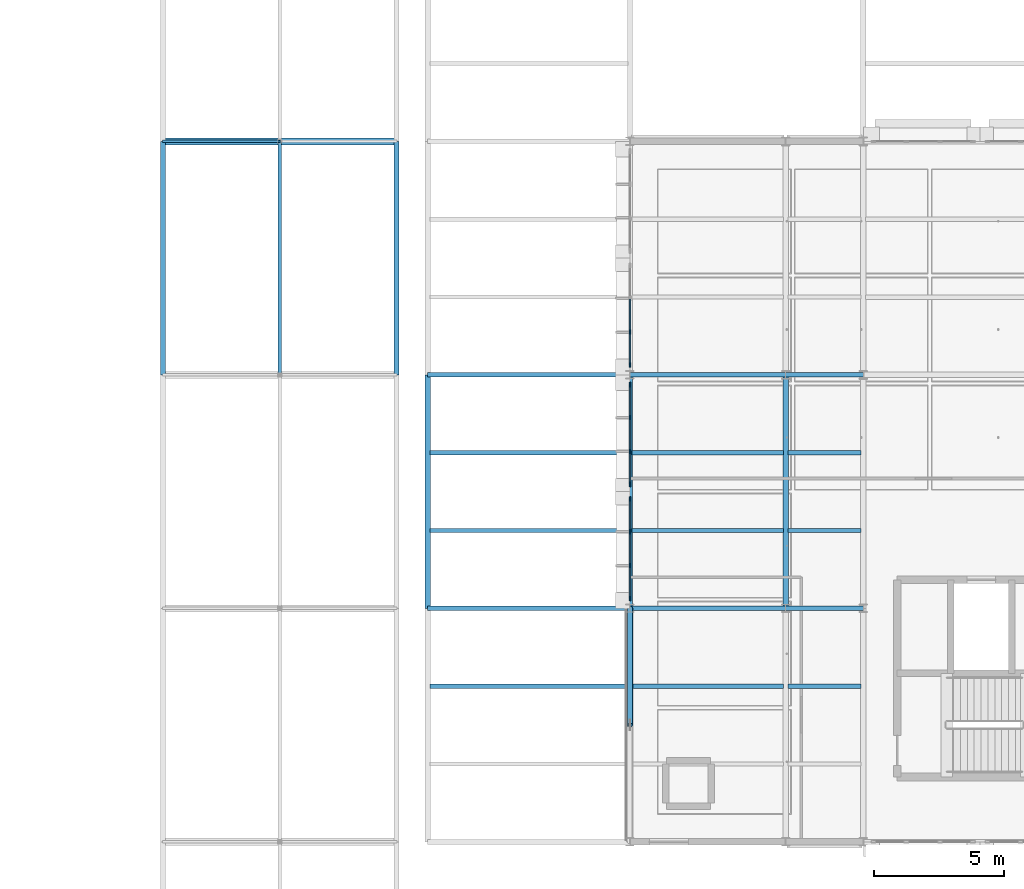
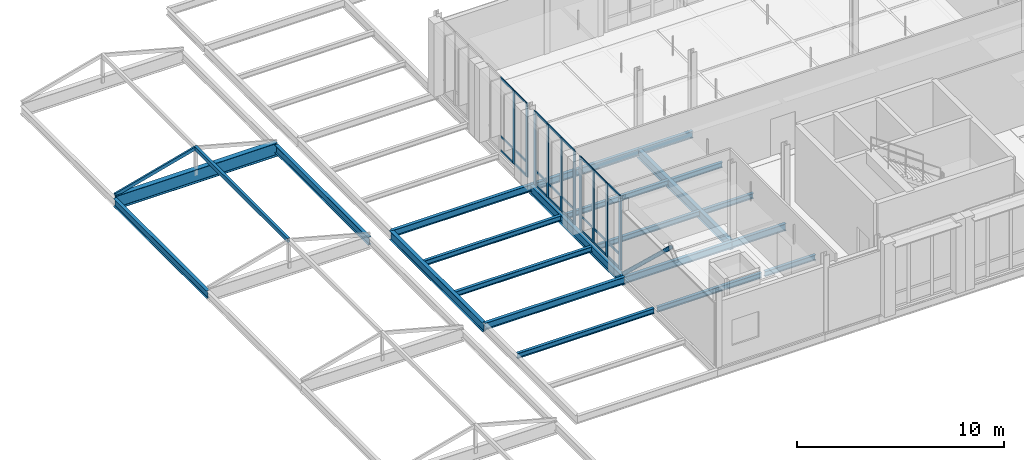
# One storey, part 48 of 140: 36 members, 22 beams, 3 elements without a shape of their own.
"""IFC4 building model written with IfcOpenShell, lengths in metres."""

from ifc_helpers import new_model, si_unit, direction, frame, origin, origin_2d, place, context, subcontext, project, spatial, rectangle, hollow_rectangle, hollow_circle, i_section, extrude, material, material_profile, profile_set, type_object, element, aggregate, save


model = new_model("IFC4")

# Units and contexts
model_context = context("Model", 3, precision=1e-05, world=origin(), true_north=direction((0.0, 1.0)))
body_context = subcontext(model_context, "Body", "Model", "MODEL_VIEW")
ifc_project = project(units=[si_unit("LENGTHUNIT", "METRE"), si_unit("AREAUNIT", "SQUARE_METRE"), si_unit("VOLUMEUNIT", "CUBIC_METRE"), si_unit("PLANEANGLEUNIT", "RADIAN"), si_unit("MASSUNIT", "GRAM", prefix="KILO"), si_unit("THERMODYNAMICTEMPERATUREUNIT", "KELVIN"), si_unit("POWERUNIT", "WATT")], contexts=[model_context])

# Site, building, storey
site_placement = place(None, origin())
site = spatial("IfcSite", under=ifc_project, at=site_placement, CompositionType="ELEMENT")
building_placement = place(site_placement, origin())
building = spatial("IfcBuilding", under=site, at=building_placement, Name="Tallowbark Science Centre", CompositionType="ELEMENT")
storey_placement = place(building_placement, frame((0.0, 0.0, 9.89990234375)))
storey = spatial("IfcBuildingStorey", under=building, at=storey_placement, Name="L02", CompositionType="ELEMENT", Elevation=9.89990234375)

# Beams
ifc_material_1 = material(Name="Structural Steel Grade 300PLUS (300 MPa)", Category="steel")
ifc_material_profile_1 = material_profile(ifc_material_1, i_section(OverallWidth=0.177734375, OverallDepth=0.406494140625, WebThickness=0.0078125, FlangeThickness=0.0126953125, FilletRadius=0.011474609375, at=origin_2d()), Name="410UB59.7")
ifc_profile_set_1 = profile_set([ifc_material_profile_1], Name="Structural Steel Grade 300PLUS (300 MPa)")
beam_type_1 = type_object("IfcBeamType", Name="BM-UB410", PredefinedType="BEAM", material=ifc_profile_set_1)
beam_1_placement = place(storey_placement, frame((55.199951171875, 81.0, -0.383056640625), z_axis=(1.0, 0.0, 0.0), x_axis=(0.0, 1.0, 0.0)))
element("IfcBeam", 1, at=beam_1_placement, inside=storey, type_object=beam_type_1, Name="Primary Girder GRDX-L02-552-630-810", PredefinedType="BEAM", context=body_context, shape_type="SweptSolid", body=[
    extrude(i_section(OverallWidth=0.177734375, OverallDepth=0.406494140625, WebThickness=0.0078125, FlangeThickness=0.0126953125, FilletRadius=0.011474609375, at=origin_2d()), origin(), (0.0, 0.0, 1.0), 7.800048828125),
])
beam_2_placement = place(storey_placement, frame((63.0, 81.0, -0.383056640625), z_axis=(1.0, 0.0, 0.0), x_axis=(0.0, 1.0, 0.0)))
element("IfcBeam", 2, at=beam_2_placement, inside=storey, type_object=beam_type_1, Name="Primary Girder GRDX-L02-630-690-810", PredefinedType="BEAM", context=body_context, shape_type="SweptSolid", body=[
    extrude(i_section(OverallWidth=0.177734375, OverallDepth=0.406494140625, WebThickness=0.0078125, FlangeThickness=0.0126953125, FilletRadius=0.011474609375, at=origin_2d()), origin(), (0.0, 0.0, 1.0), 6.0),
])
beam_3_placement = place(storey_placement, frame((69.0, 81.0, -0.383056640625), z_axis=(1.0, 0.0, 0.0), x_axis=(0.0, 1.0, 0.0)))
element("IfcBeam", 3, at=beam_3_placement, inside=storey, type_object=beam_type_1, Name="Primary Girder GRDX-L02-690-720-810", PredefinedType="BEAM", context=body_context, shape_type="SweptSolid", body=[
    extrude(i_section(OverallWidth=0.177734375, OverallDepth=0.406494140625, WebThickness=0.0078125, FlangeThickness=0.0126953125, FilletRadius=0.011474609375, at=origin_2d()), origin(), (0.0, 0.0, 1.0), 3.0),
])
beam_4_placement = place(storey_placement, frame((55.199951171875, 90.0, -0.383056640625), z_axis=(1.0, 0.0, 0.0), x_axis=(0.0, 1.0, 0.0)))
element("IfcBeam", 4, at=beam_4_placement, inside=storey, type_object=beam_type_1, Name="Primary Girder GRDX-L02-552-630-900", PredefinedType="BEAM", context=body_context, shape_type="SweptSolid", body=[
    extrude(i_section(OverallWidth=0.177734375, OverallDepth=0.406494140625, WebThickness=0.0078125, FlangeThickness=0.0126953125, FilletRadius=0.011474609375, at=origin_2d()), origin(), (0.0, 0.0, 1.0), 7.800048828125),
])
beam_5_placement = place(storey_placement, frame((63.0, 90.0, -0.383056640625), z_axis=(1.0, 0.0, 0.0), x_axis=(0.0, 1.0, 0.0)))
element("IfcBeam", 5, at=beam_5_placement, inside=storey, type_object=beam_type_1, Name="Primary Girder GRDX-L02-630-690-900", PredefinedType="BEAM", context=body_context, shape_type="SweptSolid", body=[
    extrude(i_section(OverallWidth=0.177734375, OverallDepth=0.406494140625, WebThickness=0.0078125, FlangeThickness=0.0126953125, FilletRadius=0.011474609375, at=origin_2d()), origin(), (0.0, 0.0, 1.0), 6.0),
])
beam_6_placement = place(storey_placement, frame((69.0, 90.0, -0.383056640625), z_axis=(1.0, 0.0, 0.0), x_axis=(0.0, 1.0, 0.0)))
element("IfcBeam", 6, at=beam_6_placement, inside=storey, type_object=beam_type_1, Name="Primary Girder GRDX-L02-690-720-900", PredefinedType="BEAM", context=body_context, shape_type="SweptSolid", body=[
    extrude(i_section(OverallWidth=0.177734375, OverallDepth=0.406494140625, WebThickness=0.0078125, FlangeThickness=0.0126953125, FilletRadius=0.011474609375, at=origin_2d()), origin(), (0.0, 0.0, 1.0), 3.0),
])
ifc_material_profile_2 = material_profile(ifc_material_1, i_section(OverallWidth=0.208740234375, OverallDepth=0.5283203125, WebThickness=0.009521484375, FlangeThickness=0.01318359375, FilletRadius=0.013916015625, at=origin_2d()), Name="530UB82.0")
ifc_profile_set_2 = profile_set([ifc_material_profile_2], Name="Structural Steel Grade 300PLUS (300 MPa)")
beam_type_2 = type_object("IfcBeamType", Name="BM-UB530B", PredefinedType="BEAM", material=ifc_profile_set_2)
for number, where, z_axis, x_axis, name in (
    (7, (55.199951171875, 81.0, -0.444091796875), (0.0, 1.0, 0.0), (-1.0, 0.0, 0.0), "Primary Girder GRDY-L02-552-810-900"),
    (8, (63.0, 81.0, -0.444091796875), (0.0, 1.0, 0.0), (-1.0, 0.0, 0.0), "Primary Girder GRDY-L02-630-810-900"),
    (9, (69.0, 81.0, -0.444091796875), (0.0, 1.0, 0.0), (-1.0, 0.0, 0.0), "Primary Girder GRDY-L02-690-810-900"),
):
    element("IfcBeam", number, at=place(storey_placement, frame(where, z_axis=z_axis, x_axis=x_axis)), inside=storey, type_object=beam_type_2, Name=name, PredefinedType="BEAM", context=body_context, shape_type="SweptSolid", body=[
        extrude(i_section(OverallWidth=0.208740234375, OverallDepth=0.5283203125, WebThickness=0.009521484375, FlangeThickness=0.01318359375, FilletRadius=0.013916015625, at=origin_2d()), origin(), (0.0, 0.0, 1.0), 9.0),
    ])
ifc_material_profile_3 = material_profile(ifc_material_1, i_section(OverallWidth=0.27490234375, OverallDepth=0.7919921875, WebThickness=0.011962890625, FlangeThickness=0.02001953125, FilletRadius=0.013916015625, at=origin_2d()), Name="800WB146")
ifc_profile_set_3 = profile_set([ifc_material_profile_3], Name="Structural Steel Grade 300PLUS (300 MPa)")
beam_type_3 = type_object("IfcBeamType", Name="BM-WB800", PredefinedType="BEAM", material=ifc_profile_set_3)
beam_7_placement = place(storey_placement, frame((45.0, 99.0, -0.39990234375), z_axis=(1.0, 0.0, 0.0), x_axis=(0.0, 1.0, 0.0)))
element("IfcBeam", 10, at=beam_7_placement, inside=storey, type_object=beam_type_3, Name="Passage Skylight Tie Beam 12", PredefinedType="BEAM", context=body_context, shape_type="SweptSolid", body=[
    extrude(i_section(OverallWidth=0.27490234375, OverallDepth=0.7919921875, WebThickness=0.011962890625, FlangeThickness=0.02001953125, FilletRadius=0.013916015625, at=origin_2d()), origin(), (0.0, 0.0, 1.0), 9.0),
])

# Member
ifc_material_2 = material(Name="Structural Steel Grade C350L0 (350 MPa)", Category="steel")
ifc_material_profile_4 = material_profile(ifc_material_2, hollow_circle(Radius=0.109619140625, WallThickness=0.00830078125, at=origin_2d()), Name="219.1x8.2CHS")
ifc_profile_set_4 = profile_set([ifc_material_profile_4], Name="Structural Steel Grade C350L0 (350 MPa)")
member_type_1 = type_object("IfcMemberType", Name="CBF-219CHS", PredefinedType="BRACE", material=ifc_profile_set_4)
member_1_placement = place(storey_placement, frame((63.0, 81.0, 0.0), z_axis=(0.0, -0.72701315255, 0.686623532964), x_axis=(1.0, 0.0, 0.0)))
element("IfcMember", 11, at=member_1_placement, inside=storey, type_object=member_type_1, Name="Concentric Chevron Brace CBF-LAB-W1M L02 Right", PredefinedType="BRACE", context=body_context, shape_type="SweptSolid", body=[
    extrude(hollow_circle(Radius=0.109619140625, WallThickness=0.00830078125, at=origin_2d()), origin(), (0.0, 0.0, 1.0), 6.189697265625),
])

# Curtain wall, members
ifc_material_3 = material(Name="Unitised Thermally Broken Aluminium and Low-E Double Glazing", Category="aluminium")
curtain_wall_type = type_object("IfcCurtainWallType", Name="CW-SYS-FACADE", PredefinedType="NOTDEFINED", material=ifc_material_3)
curtain_wall_1_placement = place(storey_placement, origin())
curtain_wall_1 = element("IfcCurtainWall", 12, at=curtain_wall_1_placement, inside=storey, type_object=curtain_wall_type, Name="Unitised Curtain Wall LAB-W-81A CW-L02-066", PredefinedType="NOTDEFINED")
ifc_material_4 = material(Name="Anodised Architectural Aluminium Alloy 6063-T6", Category="aluminium")
ifc_material_profile_5 = material_profile(ifc_material_4, rectangle(XDim=0.06494140625, YDim=0.179931640625, at=origin_2d()), Name="ALU65x180")
ifc_profile_set_5 = profile_set([ifc_material_profile_5], Name="Anodised Architectural Aluminium Alloy 6063-T6")
member_type_2 = type_object("IfcMemberType", Name="CWM-MUL-220", PredefinedType="MULLION", material=ifc_profile_set_5)
member_2_placement = place(storey_placement, frame((63.0, 89.617431640625, 0.0), z_axis=(0.0, 0.0, 1.0), x_axis=(1.0, 0.0, 0.0)))
member_2 = element("IfcMember", 13, at=member_2_placement, type_object=member_type_2, Name="CW-01 mullion 1", PredefinedType="MULLION", context=body_context, shape_type="SweptSolid", body=[
    extrude(rectangle(XDim=0.06494140625, YDim=0.179931640625, at=origin_2d()), origin(), (0.0, 0.0, 1.0), 4.320068359375),
])
member_3_placement = place(storey_placement, frame((63.0, 88.35009765625, 0.0), z_axis=(0.0, 0.0, 1.0), x_axis=(1.0, 0.0, 0.0)))
member_3 = element("IfcMember", 14, at=member_3_placement, type_object=member_type_2, Name="CW-01 mullion 2", PredefinedType="MULLION", context=body_context, shape_type="SweptSolid", body=[
    extrude(rectangle(XDim=0.06494140625, YDim=0.179931640625, at=origin_2d()), origin(), (0.0, 0.0, 1.0), 4.320068359375),
])
member_4_placement = place(storey_placement, frame((63.0, 87.050048828125, 0.0), z_axis=(0.0, 0.0, 1.0), x_axis=(1.0, 0.0, 0.0)))
member_4 = element("IfcMember", 15, at=member_4_placement, type_object=member_type_2, Name="CW-01 mullion 3", PredefinedType="MULLION", context=body_context, shape_type="SweptSolid", body=[
    extrude(rectangle(XDim=0.06494140625, YDim=0.179931640625, at=origin_2d()), origin(), (0.0, 0.0, 1.0), 4.320068359375),
])
member_5_placement = place(storey_placement, frame((63.0, 85.782470703125, 0.0), z_axis=(0.0, 0.0, 1.0), x_axis=(1.0, 0.0, 0.0)))
member_5 = element("IfcMember", 16, at=member_5_placement, type_object=member_type_2, Name="CW-01 mullion 4", PredefinedType="MULLION", context=body_context, shape_type="SweptSolid", body=[
    extrude(rectangle(XDim=0.06494140625, YDim=0.179931640625, at=origin_2d()), origin(), (0.0, 0.0, 1.0), 4.320068359375),
])

curtain_wall_2_placement = place(storey_placement, origin())
curtain_wall_2 = element("IfcCurtainWall", 17, at=curtain_wall_2_placement, inside=storey, type_object=curtain_wall_type, Name="Unitised Curtain Wall LAB-W-81B CW-L02-067", PredefinedType="NOTDEFINED")
member_6_placement = place(storey_placement, frame((63.0, 85.217529296875, 0.0), z_axis=(0.0, 0.0, 1.0), x_axis=(1.0, 0.0, 0.0)))
member_6 = element("IfcMember", 18, at=member_6_placement, type_object=member_type_2, Name="CW-01 mullion 1", PredefinedType="MULLION", context=body_context, shape_type="SweptSolid", body=[
    extrude(rectangle(XDim=0.06494140625, YDim=0.179931640625, at=origin_2d()), origin(), (0.0, 0.0, 1.0), 4.320068359375),
])
member_7_placement = place(storey_placement, frame((63.0, 83.949951171875, 0.0), z_axis=(0.0, 0.0, 1.0), x_axis=(1.0, 0.0, 0.0)))
member_7 = element("IfcMember", 19, at=member_7_placement, type_object=member_type_2, Name="CW-01 mullion 2", PredefinedType="MULLION", context=body_context, shape_type="SweptSolid", body=[
    extrude(rectangle(XDim=0.06494140625, YDim=0.179931640625, at=origin_2d()), origin(), (0.0, 0.0, 1.0), 4.320068359375),
])
member_8_placement = place(storey_placement, frame((63.0, 82.64990234375, 0.0), z_axis=(0.0, 0.0, 1.0), x_axis=(1.0, 0.0, 0.0)))
member_8 = element("IfcMember", 20, at=member_8_placement, type_object=member_type_2, Name="CW-01 mullion 3", PredefinedType="MULLION", context=body_context, shape_type="SweptSolid", body=[
    extrude(rectangle(XDim=0.06494140625, YDim=0.179931640625, at=origin_2d()), origin(), (0.0, 0.0, 1.0), 4.320068359375),
])
member_9_placement = place(storey_placement, frame((63.0, 81.382568359375, 0.0), z_axis=(0.0, 0.0, 1.0), x_axis=(1.0, 0.0, 0.0)))
member_9 = element("IfcMember", 21, at=member_9_placement, type_object=member_type_2, Name="CW-01 mullion 4", PredefinedType="MULLION", context=body_context, shape_type="SweptSolid", body=[
    extrude(rectangle(XDim=0.06494140625, YDim=0.179931640625, at=origin_2d()), origin(), (0.0, 0.0, 1.0), 4.320068359375),
])

curtain_wall_3_placement = place(storey_placement, origin())
curtain_wall_3 = element("IfcCurtainWall", 22, at=curtain_wall_3_placement, inside=storey, type_object=curtain_wall_type, Name="Unitised Curtain Wall LAB-W-90B CW-L02-069", PredefinedType="NOTDEFINED")
member_10_placement = place(storey_placement, frame((63.0, 91.64990234375, 0.0), z_axis=(0.0, 0.0, 1.0), x_axis=(1.0, 0.0, 0.0)))
member_10 = element("IfcMember", 23, at=member_10_placement, type_object=member_type_2, Name="CW-01 mullion 3", PredefinedType="MULLION", context=body_context, shape_type="SweptSolid", body=[
    extrude(rectangle(XDim=0.06494140625, YDim=0.179931640625, at=origin_2d()), origin(), (0.0, 0.0, 1.0), 4.320068359375),
])
member_11_placement = place(storey_placement, frame((63.0, 90.382568359375, 0.0), z_axis=(0.0, 0.0, 1.0), x_axis=(1.0, 0.0, 0.0)))
member_11 = element("IfcMember", 24, at=member_11_placement, type_object=member_type_2, Name="CW-01 mullion 4", PredefinedType="MULLION", context=body_context, shape_type="SweptSolid", body=[
    extrude(rectangle(XDim=0.06494140625, YDim=0.179931640625, at=origin_2d()), origin(), (0.0, 0.0, 1.0), 4.320068359375),
])

# Member
ifc_material_profile_6 = material_profile(ifc_material_4, rectangle(XDim=0.054931640625, YDim=0.1201171875, at=origin_2d()), Name="ALU55x120")
ifc_profile_set_6 = profile_set([ifc_material_profile_6], Name="Anodised Architectural Aluminium Alloy 6063-T6")
member_type_3 = type_object("IfcMemberType", Name="CWM-TRN-150", PredefinedType="USERDEFINED", material=ifc_profile_set_6)
member_12_placement = place(storey_placement, frame((63.0, 89.5849609375, 0.027587890625), z_axis=(0.0, -1.0, 0.0), x_axis=(1.0, 0.0, 0.0)))
member_12 = element("IfcMember", 25, at=member_12_placement, type_object=member_type_3, Name="CW-01 transom 1.1", ObjectType="TRANSOM", PredefinedType="USERDEFINED", context=body_context, shape_type="SweptSolid", body=[
    extrude(rectangle(XDim=0.054931640625, YDim=0.1201171875, at=origin_2d()), origin(), (0.0, 0.0, 1.0), 1.202392578125),
])

member_13_placement = place(storey_placement, frame((63.0, 89.5849609375, 0.85009765625), z_axis=(0.0, -1.0, 0.0), x_axis=(1.0, 0.0, 0.0)))
member_13 = element("IfcMember", 26, at=member_13_placement, type_object=member_type_3, Name="CW-01 transom 1.2", ObjectType="TRANSOM", PredefinedType="USERDEFINED", context=body_context, shape_type="SweptSolid", body=[
    extrude(rectangle(XDim=0.054931640625, YDim=0.1201171875, at=origin_2d()), origin(), (0.0, 0.0, 1.0), 1.202392578125),
])

member_14_placement = place(storey_placement, frame((63.0, 89.5849609375, 4.29248046875), z_axis=(0.0, -1.0, 0.0), x_axis=(1.0, 0.0, 0.0)))
member_14 = element("IfcMember", 27, at=member_14_placement, type_object=member_type_3, Name="CW-01 transom 1.3", ObjectType="TRANSOM", PredefinedType="USERDEFINED", context=body_context, shape_type="SweptSolid", body=[
    extrude(rectangle(XDim=0.054931640625, YDim=0.1201171875, at=origin_2d()), origin(), (0.0, 0.0, 1.0), 1.202392578125),
])

member_15_placement = place(storey_placement, frame((63.0, 88.3173828125, 0.027587890625), z_axis=(0.0, -1.0, 0.0), x_axis=(1.0, 0.0, 0.0)))
member_15 = element("IfcMember", 28, at=member_15_placement, type_object=member_type_3, Name="CW-01 transom 2.1", ObjectType="TRANSOM", PredefinedType="USERDEFINED", context=body_context, shape_type="SweptSolid", body=[
    extrude(rectangle(XDim=0.054931640625, YDim=0.1201171875, at=origin_2d()), origin(), (0.0, 0.0, 1.0), 1.23486328125),
])

member_16_placement = place(storey_placement, frame((63.0, 88.3173828125, 0.85009765625), z_axis=(0.0, -1.0, 0.0), x_axis=(1.0, 0.0, 0.0)))
member_16 = element("IfcMember", 29, at=member_16_placement, type_object=member_type_3, Name="CW-01 transom 2.2", ObjectType="TRANSOM", PredefinedType="USERDEFINED", context=body_context, shape_type="SweptSolid", body=[
    extrude(rectangle(XDim=0.054931640625, YDim=0.1201171875, at=origin_2d()), origin(), (0.0, 0.0, 1.0), 1.23486328125),
])

member_17_placement = place(storey_placement, frame((63.0, 88.3173828125, 4.29248046875), z_axis=(0.0, -1.0, 0.0), x_axis=(1.0, 0.0, 0.0)))
member_17 = element("IfcMember", 30, at=member_17_placement, type_object=member_type_3, Name="CW-01 transom 2.3", ObjectType="TRANSOM", PredefinedType="USERDEFINED", context=body_context, shape_type="SweptSolid", body=[
    extrude(rectangle(XDim=0.054931640625, YDim=0.1201171875, at=origin_2d()), origin(), (0.0, 0.0, 1.0), 1.23486328125),
])

member_18_placement = place(storey_placement, frame((63.0, 87.017578125, 0.027587890625), z_axis=(0.0, -1.0, 0.0), x_axis=(1.0, 0.0, 0.0)))
member_18 = element("IfcMember", 31, at=member_18_placement, type_object=member_type_3, Name="CW-01 transom 3.1", ObjectType="TRANSOM", PredefinedType="USERDEFINED", context=body_context, shape_type="SweptSolid", body=[
    extrude(rectangle(XDim=0.054931640625, YDim=0.1201171875, at=origin_2d()), origin(), (0.0, 0.0, 1.0), 1.20263671875),
])

member_19_placement = place(storey_placement, frame((63.0, 87.017578125, 0.85009765625), z_axis=(0.0, -1.0, 0.0), x_axis=(1.0, 0.0, 0.0)))
member_19 = element("IfcMember", 32, at=member_19_placement, type_object=member_type_3, Name="CW-01 transom 3.2", ObjectType="TRANSOM", PredefinedType="USERDEFINED", context=body_context, shape_type="SweptSolid", body=[
    extrude(rectangle(XDim=0.054931640625, YDim=0.1201171875, at=origin_2d()), origin(), (0.0, 0.0, 1.0), 1.20263671875),
])

member_20_placement = place(storey_placement, frame((63.0, 87.017578125, 4.29248046875), z_axis=(0.0, -1.0, 0.0), x_axis=(1.0, 0.0, 0.0)))
member_20 = element("IfcMember", 33, at=member_20_placement, type_object=member_type_3, Name="CW-01 transom 3.3", ObjectType="TRANSOM", PredefinedType="USERDEFINED", context=body_context, shape_type="SweptSolid", body=[
    extrude(rectangle(XDim=0.054931640625, YDim=0.1201171875, at=origin_2d()), origin(), (0.0, 0.0, 1.0), 1.20263671875),
])

aggregate(curtain_wall_1, [member_2, member_3, member_4, member_5, member_12, member_13, member_14, member_15, member_16, member_17, member_18, member_19, member_20])

member_21_placement = place(storey_placement, frame((63.0, 85.18505859375, 0.027587890625), z_axis=(0.0, -1.0, 0.0), x_axis=(1.0, 0.0, 0.0)))
member_21 = element("IfcMember", 34, at=member_21_placement, type_object=member_type_3, Name="CW-01 transom 1.1", ObjectType="TRANSOM", PredefinedType="USERDEFINED", context=body_context, shape_type="SweptSolid", body=[
    extrude(rectangle(XDim=0.054931640625, YDim=0.1201171875, at=origin_2d()), origin(), (0.0, 0.0, 1.0), 1.20263671875),
])

member_22_placement = place(storey_placement, frame((63.0, 85.18505859375, 0.85009765625), z_axis=(0.0, -1.0, 0.0), x_axis=(1.0, 0.0, 0.0)))
member_22 = element("IfcMember", 35, at=member_22_placement, type_object=member_type_3, Name="CW-01 transom 1.2", ObjectType="TRANSOM", PredefinedType="USERDEFINED", context=body_context, shape_type="SweptSolid", body=[
    extrude(rectangle(XDim=0.054931640625, YDim=0.1201171875, at=origin_2d()), origin(), (0.0, 0.0, 1.0), 1.20263671875),
])

member_23_placement = place(storey_placement, frame((63.0, 85.18505859375, 4.29248046875), z_axis=(0.0, -1.0, 0.0), x_axis=(1.0, 0.0, 0.0)))
member_23 = element("IfcMember", 36, at=member_23_placement, type_object=member_type_3, Name="CW-01 transom 1.3", ObjectType="TRANSOM", PredefinedType="USERDEFINED", context=body_context, shape_type="SweptSolid", body=[
    extrude(rectangle(XDim=0.054931640625, YDim=0.1201171875, at=origin_2d()), origin(), (0.0, 0.0, 1.0), 1.20263671875),
])

member_24_placement = place(storey_placement, frame((63.0, 83.91748046875, 0.027587890625), z_axis=(0.0, -1.0, 0.0), x_axis=(1.0, 0.0, 0.0)))
member_24 = element("IfcMember", 37, at=member_24_placement, type_object=member_type_3, Name="CW-01 transom 2.1", ObjectType="TRANSOM", PredefinedType="USERDEFINED", context=body_context, shape_type="SweptSolid", body=[
    extrude(rectangle(XDim=0.054931640625, YDim=0.1201171875, at=origin_2d()), origin(), (0.0, 0.0, 1.0), 1.23486328125),
])

member_25_placement = place(storey_placement, frame((63.0, 83.91748046875, 0.85009765625), z_axis=(0.0, -1.0, 0.0), x_axis=(1.0, 0.0, 0.0)))
member_25 = element("IfcMember", 38, at=member_25_placement, type_object=member_type_3, Name="CW-01 transom 2.2", ObjectType="TRANSOM", PredefinedType="USERDEFINED", context=body_context, shape_type="SweptSolid", body=[
    extrude(rectangle(XDim=0.054931640625, YDim=0.1201171875, at=origin_2d()), origin(), (0.0, 0.0, 1.0), 1.23486328125),
])

member_26_placement = place(storey_placement, frame((63.0, 83.91748046875, 4.29248046875), z_axis=(0.0, -1.0, 0.0), x_axis=(1.0, 0.0, 0.0)))
member_26 = element("IfcMember", 39, at=member_26_placement, type_object=member_type_3, Name="CW-01 transom 2.3", ObjectType="TRANSOM", PredefinedType="USERDEFINED", context=body_context, shape_type="SweptSolid", body=[
    extrude(rectangle(XDim=0.054931640625, YDim=0.1201171875, at=origin_2d()), origin(), (0.0, 0.0, 1.0), 1.23486328125),
])

member_27_placement = place(storey_placement, frame((63.0, 82.617431640625, 0.027587890625), z_axis=(0.0, -1.0, 0.0), x_axis=(1.0, 0.0, 0.0)))
member_27 = element("IfcMember", 40, at=member_27_placement, type_object=member_type_3, Name="CW-01 transom 3.1", ObjectType="TRANSOM", PredefinedType="USERDEFINED", context=body_context, shape_type="SweptSolid", body=[
    extrude(rectangle(XDim=0.054931640625, YDim=0.1201171875, at=origin_2d()), origin(), (0.0, 0.0, 1.0), 1.202392578125),
])

member_28_placement = place(storey_placement, frame((63.0, 82.617431640625, 0.85009765625), z_axis=(0.0, -1.0, 0.0), x_axis=(1.0, 0.0, 0.0)))
member_28 = element("IfcMember", 41, at=member_28_placement, type_object=member_type_3, Name="CW-01 transom 3.2", ObjectType="TRANSOM", PredefinedType="USERDEFINED", context=body_context, shape_type="SweptSolid", body=[
    extrude(rectangle(XDim=0.054931640625, YDim=0.1201171875, at=origin_2d()), origin(), (0.0, 0.0, 1.0), 1.202392578125),
])

member_29_placement = place(storey_placement, frame((63.0, 82.617431640625, 4.29248046875), z_axis=(0.0, -1.0, 0.0), x_axis=(1.0, 0.0, 0.0)))
member_29 = element("IfcMember", 42, at=member_29_placement, type_object=member_type_3, Name="CW-01 transom 3.3", ObjectType="TRANSOM", PredefinedType="USERDEFINED", context=body_context, shape_type="SweptSolid", body=[
    extrude(rectangle(XDim=0.054931640625, YDim=0.1201171875, at=origin_2d()), origin(), (0.0, 0.0, 1.0), 1.202392578125),
])

aggregate(curtain_wall_2, [member_6, member_7, member_8, member_9, member_21, member_22, member_23, member_24, member_25, member_26, member_27, member_28, member_29])

member_30_placement = place(storey_placement, frame((63.0, 92.91748046875, 0.027587890625), z_axis=(0.0, -1.0, 0.0), x_axis=(1.0, 0.0, 0.0)))
member_30 = element("IfcMember", 43, at=member_30_placement, type_object=member_type_3, Name="CW-01 transom 2.1", ObjectType="TRANSOM", PredefinedType="USERDEFINED", context=body_context, shape_type="SweptSolid", body=[
    extrude(rectangle(XDim=0.054931640625, YDim=0.1201171875, at=origin_2d()), origin(), (0.0, 0.0, 1.0), 1.23486328125),
])

member_31_placement = place(storey_placement, frame((63.0, 92.91748046875, 0.85009765625), z_axis=(0.0, -1.0, 0.0), x_axis=(1.0, 0.0, 0.0)))
member_31 = element("IfcMember", 44, at=member_31_placement, type_object=member_type_3, Name="CW-01 transom 2.2", ObjectType="TRANSOM", PredefinedType="USERDEFINED", context=body_context, shape_type="SweptSolid", body=[
    extrude(rectangle(XDim=0.054931640625, YDim=0.1201171875, at=origin_2d()), origin(), (0.0, 0.0, 1.0), 1.23486328125),
])

member_32_placement = place(storey_placement, frame((63.0, 92.91748046875, 4.29248046875), z_axis=(0.0, -1.0, 0.0), x_axis=(1.0, 0.0, 0.0)))
member_32 = element("IfcMember", 45, at=member_32_placement, type_object=member_type_3, Name="CW-01 transom 2.3", ObjectType="TRANSOM", PredefinedType="USERDEFINED", context=body_context, shape_type="SweptSolid", body=[
    extrude(rectangle(XDim=0.054931640625, YDim=0.1201171875, at=origin_2d()), origin(), (0.0, 0.0, 1.0), 1.23486328125),
])

member_33_placement = place(storey_placement, frame((63.0, 91.617431640625, 0.027587890625), z_axis=(0.0, -1.0, 0.0), x_axis=(1.0, 0.0, 0.0)))
member_33 = element("IfcMember", 46, at=member_33_placement, type_object=member_type_3, Name="CW-01 transom 3.1", ObjectType="TRANSOM", PredefinedType="USERDEFINED", context=body_context, shape_type="SweptSolid", body=[
    extrude(rectangle(XDim=0.054931640625, YDim=0.1201171875, at=origin_2d()), origin(), (0.0, 0.0, 1.0), 1.202392578125),
])

member_34_placement = place(storey_placement, frame((63.0, 91.617431640625, 0.85009765625), z_axis=(0.0, -1.0, 0.0), x_axis=(1.0, 0.0, 0.0)))
member_34 = element("IfcMember", 47, at=member_34_placement, type_object=member_type_3, Name="CW-01 transom 3.2", ObjectType="TRANSOM", PredefinedType="USERDEFINED", context=body_context, shape_type="SweptSolid", body=[
    extrude(rectangle(XDim=0.054931640625, YDim=0.1201171875, at=origin_2d()), origin(), (0.0, 0.0, 1.0), 1.202392578125),
])

member_35_placement = place(storey_placement, frame((63.0, 91.617431640625, 4.29248046875), z_axis=(0.0, -1.0, 0.0), x_axis=(1.0, 0.0, 0.0)))
member_35 = element("IfcMember", 48, at=member_35_placement, type_object=member_type_3, Name="CW-01 transom 3.3", ObjectType="TRANSOM", PredefinedType="USERDEFINED", context=body_context, shape_type="SweptSolid", body=[
    extrude(rectangle(XDim=0.054931640625, YDim=0.1201171875, at=origin_2d()), origin(), (0.0, 0.0, 1.0), 1.202392578125),
])

aggregate(curtain_wall_3, [member_10, member_11, member_30, member_31, member_32, member_33, member_34, member_35])

# Beams
ifc_material_profile_7 = material_profile(ifc_material_1, i_section(OverallWidth=0.166015625, OverallDepth=0.30712890625, WebThickness=0.006591796875, FlangeThickness=0.01171875, FilletRadius=0.011474609375, at=origin_2d()), Name="310UB46.2")
ifc_profile_set_7 = profile_set([ifc_material_profile_7], Name="Structural Steel Grade 300PLUS (300 MPa)")
beam_type_4 = type_object("IfcBeamType", Name="JST-UB310", PredefinedType="JOIST", material=ifc_profile_set_7)
beam_8_placement = place(storey_placement, frame((55.284912109375, 78.0, -0.33349609375), z_axis=(1.0, 0.0, 0.0), x_axis=(0.0, 1.0, 0.0)))
element("IfcBeam", 49, at=beam_8_placement, inside=storey, type_object=beam_type_4, Name="Composite Floor Joist JSTX-L02-552-780", PredefinedType="JOIST", context=body_context, shape_type="SweptSolid", body=[
    extrude(i_section(OverallWidth=0.166015625, OverallDepth=0.30712890625, WebThickness=0.006591796875, FlangeThickness=0.01171875, FilletRadius=0.011474609375, at=origin_2d()), origin(), (0.0, 0.0, 1.0), 7.630126953125),
])
beam_9_placement = place(storey_placement, frame((63.0849609375, 78.0, -0.33349609375), z_axis=(1.0, 0.0, 0.0), x_axis=(0.0, 1.0, 0.0)))
element("IfcBeam", 50, at=beam_9_placement, inside=storey, type_object=beam_type_4, Name="Composite Floor Joist JSTX-L02-630-780", PredefinedType="JOIST", context=body_context, shape_type="SweptSolid", body=[
    extrude(i_section(OverallWidth=0.166015625, OverallDepth=0.30712890625, WebThickness=0.006591796875, FlangeThickness=0.01171875, FilletRadius=0.011474609375, at=origin_2d()), origin(), (0.0, 0.0, 1.0), 5.830078125),
])
beam_10_placement = place(storey_placement, frame((69.0849609375, 78.0, -0.33349609375), z_axis=(1.0, 0.0, 0.0), x_axis=(0.0, 1.0, 0.0)))
element("IfcBeam", 51, at=beam_10_placement, inside=storey, type_object=beam_type_4, Name="Composite Floor Joist JSTX-L02-690-780", PredefinedType="JOIST", context=body_context, shape_type="SweptSolid", body=[
    extrude(i_section(OverallWidth=0.166015625, OverallDepth=0.30712890625, WebThickness=0.006591796875, FlangeThickness=0.01171875, FilletRadius=0.011474609375, at=origin_2d()), origin(), (0.0, 0.0, 1.0), 2.830078125),
])
for number, where, z_axis, x_axis, name in (
    (52, (55.284912109375, 84.0, -0.33349609375), (1.0, 0.0, 0.0), (0.0, 1.0, 0.0), "Composite Floor Joist JSTX-L02-552-840"),
    (53, (55.284912109375, 87.0, -0.33349609375), (1.0, 0.0, 0.0), (0.0, 1.0, 0.0), "Composite Floor Joist JSTX-L02-552-870"),
):
    element("IfcBeam", number, at=place(storey_placement, frame(where, z_axis=z_axis, x_axis=x_axis)), inside=storey, type_object=beam_type_4, Name=name, PredefinedType="JOIST", context=body_context, shape_type="SweptSolid", body=[
        extrude(i_section(OverallWidth=0.166015625, OverallDepth=0.30712890625, WebThickness=0.006591796875, FlangeThickness=0.01171875, FilletRadius=0.011474609375, at=origin_2d()), origin(), (0.0, 0.0, 1.0), 7.630126953125),
    ])
for number, where, z_axis, x_axis, name in (
    (54, (63.0849609375, 84.0, -0.33349609375), (1.0, 0.0, 0.0), (0.0, 1.0, 0.0), "Composite Floor Joist JSTX-L02-630-840"),
    (55, (63.0849609375, 87.0, -0.33349609375), (1.0, 0.0, 0.0), (0.0, 1.0, 0.0), "Composite Floor Joist JSTX-L02-630-870"),
):
    element("IfcBeam", number, at=place(storey_placement, frame(where, z_axis=z_axis, x_axis=x_axis)), inside=storey, type_object=beam_type_4, Name=name, PredefinedType="JOIST", context=body_context, shape_type="SweptSolid", body=[
        extrude(i_section(OverallWidth=0.166015625, OverallDepth=0.30712890625, WebThickness=0.006591796875, FlangeThickness=0.01171875, FilletRadius=0.011474609375, at=origin_2d()), origin(), (0.0, 0.0, 1.0), 5.830078125),
    ])
for number, where, z_axis, x_axis, name in (
    (56, (69.0849609375, 84.0, -0.33349609375), (1.0, 0.0, 0.0), (0.0, 1.0, 0.0), "Composite Floor Joist JSTX-L02-690-840"),
    (57, (69.0849609375, 87.0, -0.33349609375), (1.0, 0.0, 0.0), (0.0, 1.0, 0.0), "Composite Floor Joist JSTX-L02-690-870"),
):
    element("IfcBeam", number, at=place(storey_placement, frame(where, z_axis=z_axis, x_axis=x_axis)), inside=storey, type_object=beam_type_4, Name=name, PredefinedType="JOIST", context=body_context, shape_type="SweptSolid", body=[
        extrude(i_section(OverallWidth=0.166015625, OverallDepth=0.30712890625, WebThickness=0.006591796875, FlangeThickness=0.01171875, FilletRadius=0.011474609375, at=origin_2d()), origin(), (0.0, 0.0, 1.0), 2.830078125),
    ])

# Member
ifc_material_profile_8 = material_profile(ifc_material_2, hollow_rectangle(XDim=0.10009765625, YDim=0.199951171875, WallThickness=0.006103515625, at=origin_2d()), Name="200x100x6.0RHS")
ifc_profile_set_8 = profile_set([ifc_material_profile_8], Name="Structural Steel Grade C350L0 (350 MPa)")
member_type_4 = type_object("IfcMemberType", Name="RFT-200RHS", PredefinedType="RAFTER", material=ifc_profile_set_8)
member_36_placement = place(storey_placement, frame((45.0, 99.0, 0.0), z_axis=(0.965923723713, 0.0, 0.258826891896), x_axis=(0.0, 1.0, 0.0)))
element("IfcMember", 58, at=member_36_placement, inside=storey, type_object=member_type_4, Name="Passage Skylight West Rafter 12", PredefinedType="RAFTER", context=body_context, shape_type="SweptSolid", body=[
    extrude(hollow_rectangle(XDim=0.10009765625, YDim=0.199951171875, WallThickness=0.006103515625, at=origin_2d()), origin(), (0.0, 0.0, 1.0), 4.65869140625),
])

# Beams
ifc_material_5 = material(Name="White Architectural Painted Steel Grade C350L0 (350 MPa)", Category="steel")
ifc_material_profile_9 = material_profile(ifc_material_5, hollow_rectangle(XDim=0.14990234375, YDim=0.25, WallThickness=0.009033203125, at=origin_2d()), Name="250x150x9.0RHS")
ifc_profile_set_9 = profile_set([ifc_material_profile_9], Name="White Architectural Painted Steel Grade C350L0 (350 MPa)")
beam_type_5 = type_object("IfcBeamType", Name="SPN-RHS250", PredefinedType="SPANDREL", material=ifc_profile_set_9)
beam_11_placement = place(storey_placement, frame((49.5, 90.0, 1.205810546875), z_axis=(0.0, 1.0, 0.0), x_axis=(-1.0, 0.0, 0.0)))
element("IfcBeam", 59, at=beam_11_placement, inside=storey, type_object=beam_type_5, Name="Passage Skylight Ridge Beam 11", PredefinedType="SPANDREL", context=body_context, shape_type="SweptSolid", body=[
    extrude(hollow_rectangle(XDim=0.14990234375, YDim=0.25, WallThickness=0.009033203125, at=origin_2d()), origin(), (0.0, 0.0, 1.0), 9.0),
])
ifc_material_profile_10 = material_profile(ifc_material_1, i_section(OverallWidth=0.18994140625, OverallDepth=0.453857421875, WebThickness=0.008544921875, FlangeThickness=0.0126953125, FilletRadius=0.011474609375, at=origin_2d()), Name="460UB67.1")
ifc_profile_set_10 = profile_set([ifc_material_profile_10], Name="Structural Steel Grade 300PLUS (300 MPa)")
beam_type_6 = type_object("IfcBeamType", Name="SPN-UB460", PredefinedType="SPANDREL", material=ifc_profile_set_10)
for number, where, z_axis, x_axis, name in (
    (60, (45.0, 90.0, -0.40673828125), (0.0, 1.0, 0.0), (-1.0, 0.0, 0.0), "Primary Girder GRDY-L02-450-900-990"),
    (61, (54.0, 90.0, -0.40673828125), (0.0, 1.0, 0.0), (-1.0, 0.0, 0.0), "Primary Girder GRDY-L02-540-900-990"),
):
    element("IfcBeam", number, at=place(storey_placement, frame(where, z_axis=z_axis, x_axis=x_axis)), inside=storey, type_object=beam_type_6, Name=name, PredefinedType="SPANDREL", context=body_context, shape_type="SweptSolid", body=[
        extrude(i_section(OverallWidth=0.18994140625, OverallDepth=0.453857421875, WebThickness=0.008544921875, FlangeThickness=0.0126953125, FilletRadius=0.011474609375, at=origin_2d()), origin(), (0.0, 0.0, 1.0), 9.0),
    ])

save(model, "model.ifc")
